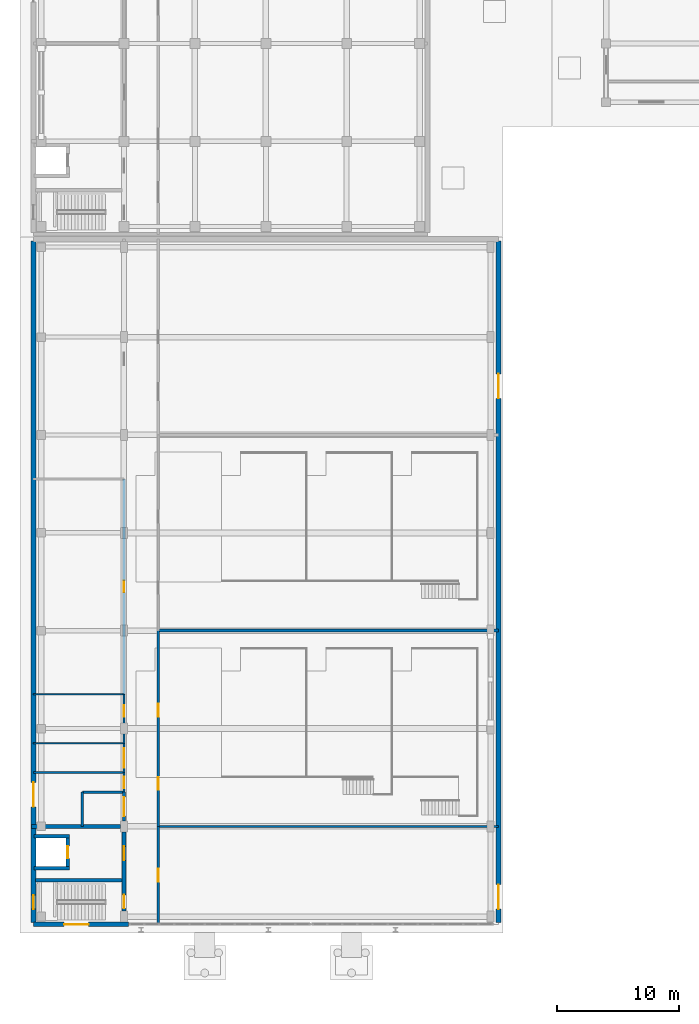
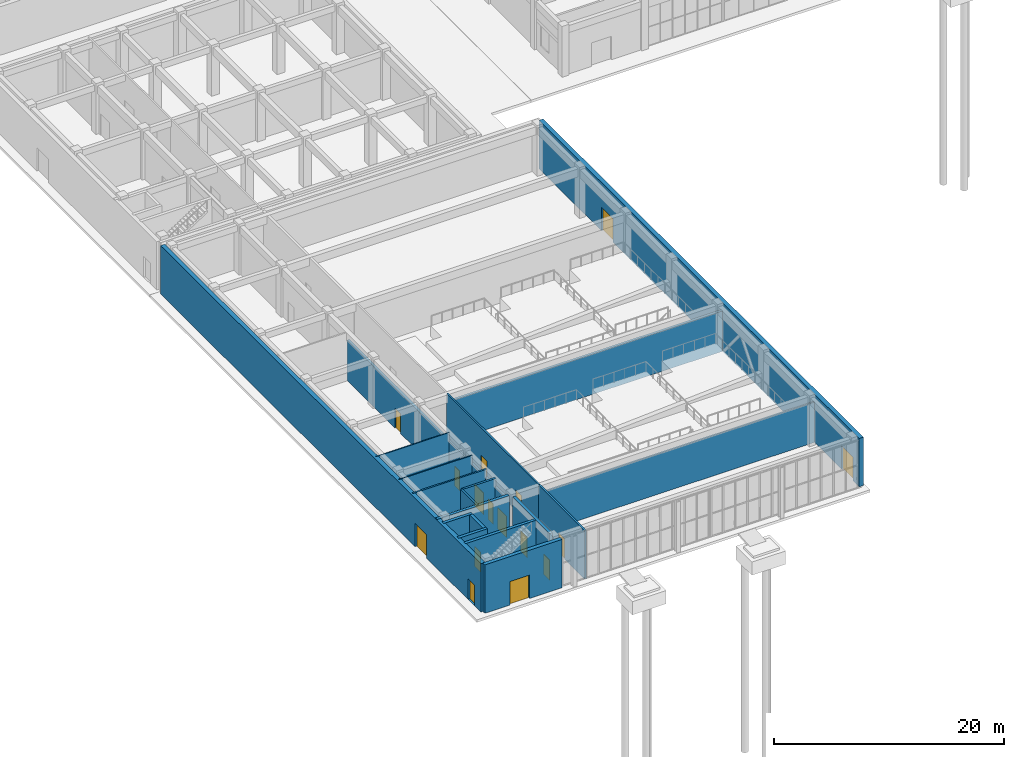
# One storey, part 28 of 46: 23 walls, 16 doors, 16 openings.
"""IFC4 building model written with IfcOpenShell, lengths in metres."""

from ifc_helpers import new_model, si_unit, direction, frame, frame_2d, origin, place, context, subcontext, project, spatial, rectangle, extrude, material, layer, layer_set, type_object, element, fill, save


model = new_model("IFC4")

# Units and contexts
model_context = context("Model", 3, precision=1e-05, world=origin(), true_north=direction((0.0, 1.0)))
body_context = subcontext(model_context, "Body", "Model", "MODEL_VIEW")
ifc_project = project(units=[si_unit("LENGTHUNIT", "METRE"), si_unit("AREAUNIT", "SQUARE_METRE"), si_unit("VOLUMEUNIT", "CUBIC_METRE"), si_unit("PLANEANGLEUNIT", "RADIAN"), si_unit("MASSUNIT", "GRAM", prefix="KILO")], contexts=[model_context])

# Site, building, storey
site_placement = place(None, origin())
site = spatial("IfcSite", under=ifc_project, at=site_placement, CompositionType="ELEMENT")
building_placement = place(site_placement, origin())
building = spatial("IfcBuilding", under=site, at=building_placement, Name="Cinchona Park Media Centre", CompositionType="ELEMENT")
storey_placement = place(building_placement, origin())
storey = spatial("IfcBuildingStorey", under=building, at=storey_placement, Name="L00", CompositionType="ELEMENT", Elevation=0.0)

# Wall, openings, doors
ifc_material_1 = material(Name="Precast concrete C40/50", Category="concrete")
ifc_layer_1 = layer(ifc_material_1, 0.425048828125)
ifc_layer_set_1 = layer_set([ifc_layer_1], Name="Precast concrete C40/50")
wall_type_1 = type_object("IfcWallType", Name="WALL-W-AC01", PredefinedType="SOLIDWALL", material=ifc_layer_set_1)
wall_1_placement = place(storey_placement, frame((46.0, 63.4599609375, 0.0), z_axis=(0.0, 0.0, 1.0), x_axis=(0.0, -1.0, 0.0)))
wall_1 = element("IfcWall", 1, at=wall_1_placement, inside=storey, type_object=wall_type_1, Name="Exterior Wall W-AC01 V1 L00", PredefinedType="SOLIDWALL", context=body_context, shape_type="SweptSolid", body=[
    extrude(rectangle(XDim=55.719970703125, YDim=0.425048828125, at=frame_2d((27.85986328125, 0.0))), origin(), (0.0, 0.0, 1.0), 5.139892578125),
])
opening_1_placement = place(wall_1_placement, frame((52.6201171875, 0.0, 0.0)))
opening_1 = element("IfcOpeningElement", 2, at=opening_1_placement, cuts=wall_1, Name="Opening D009", PredefinedType="OPENING", context=body_context, shape_type="SweptSolid", body=[
    extrude(rectangle(XDim=2.0, YDim=2.5, at=frame_2d((1.0, 1.25))), frame((0.0, 0.222412109375, 0.0), z_axis=(0.0, -1.0, 0.0), x_axis=(1.0, 0.0, 0.0)), (0.0, 0.0, 1.0), 0.445068359375),
])
opening_2_placement = place(wall_1_placement, frame((10.860107421875, 0.0, 0.0)))
opening_2 = element("IfcOpeningElement", 3, at=opening_2_placement, cuts=wall_1, Name="Opening D011", PredefinedType="OPENING", context=body_context, shape_type="SweptSolid", body=[
    extrude(rectangle(XDim=2.0, YDim=2.5, at=frame_2d((1.0, 1.25))), frame((0.0, 0.222412109375, 0.0), z_axis=(0.0, -1.0, 0.0), x_axis=(1.0, 0.0, 0.0)), (0.0, 0.0, 1.0), 0.445068359375),
])
ifc_material_2 = material(Name="Insulated Steel and Laminated Glass Door", Category="steel")
door_type_1 = type_object("IfcDoorType", Name="DOOR-DT-EX2", OperationType="NOTDEFINED", PredefinedType="DOOR", material=ifc_material_2)
door_1_placement = place(opening_1_placement, origin())
door_1 = element("IfcDoor", 4, at=door_1_placement, inside=storey, type_object=door_type_1, Name="Exterior Door D009", OperationType="DOUBLE_SWING_LEFT", OverallHeight=2.5, OverallWidth=2.0, PredefinedType="DOOR", context=body_context, shape_type="SweptSolid", body=[
    extrude(rectangle(XDim=2.0, YDim=2.5, at=frame_2d((1.0, 1.25))), frame((0.0, 0.02490234375, 0.0), z_axis=(0.0, -1.0, 0.0), x_axis=(1.0, 0.0, 0.0)), (0.0, 0.0, 1.0), 0.050048828125),
])
fill(opening_1, door_1)
door_2_placement = place(opening_2_placement, origin())
door_2 = element("IfcDoor", 5, at=door_2_placement, inside=storey, type_object=door_type_1, Name="Exterior Door D011", OperationType="DOUBLE_SWING_LEFT", OverallHeight=2.5, OverallWidth=2.0, PredefinedType="DOOR", context=body_context, shape_type="SweptSolid", body=[
    extrude(rectangle(XDim=2.0, YDim=2.5, at=frame_2d((1.0, 1.25))), frame((0.0, 0.02490234375, 0.0), z_axis=(0.0, -1.0, 0.0), x_axis=(1.0, 0.0, 0.0)), (0.0, 0.0, 1.0), 0.050048828125),
])
fill(opening_2, door_2)

wall_2_placement = place(storey_placement, frame((8.0, 7.739990234375, 0.0), z_axis=(0.0, 0.0, 1.0), x_axis=(0.0, 1.0, 0.0)))
wall_2 = element("IfcWall", 6, at=wall_2_placement, inside=storey, type_object=wall_type_1, Name="Exterior Wall W-AC01 V1 L00", PredefinedType="SOLIDWALL", context=body_context, shape_type="SweptSolid", body=[
    extrude(rectangle(XDim=55.719970703125, YDim=0.425048828125, at=frame_2d((27.85986328125, 0.0))), origin(), (0.0, 0.0, 1.0), 5.139892578125),
])
opening_3_placement = place(wall_2_placement, frame((1.10009765625, 0.0, 0.0)))
opening_3 = element("IfcOpeningElement", 7, at=opening_3_placement, cuts=wall_2, Name="Opening D006", PredefinedType="OPENING", context=body_context, shape_type="SweptSolid", body=[
    extrude(rectangle(XDim=1.14990234375, YDim=2.199951171875, at=frame_2d((0.574951171875, 1.10009765625))), frame((0.0, 0.222412109375, 0.0), z_axis=(0.0, -1.0, 0.0), x_axis=(1.0, 0.0, 0.0)), (0.0, 0.0, 1.0), 0.445068359375),
])
opening_4_placement = place(wall_2_placement, frame((9.4599609375, 0.0, 0.0)))
opening_4 = element("IfcOpeningElement", 8, at=opening_4_placement, cuts=wall_2, Name="Opening D010", PredefinedType="OPENING", context=body_context, shape_type="SweptSolid", body=[
    extrude(rectangle(XDim=2.0, YDim=2.5, at=frame_2d((1.0, 1.25))), frame((0.0, 0.222412109375, 0.0), z_axis=(0.0, -1.0, 0.0), x_axis=(1.0, 0.0, 0.0)), (0.0, 0.0, 1.0), 0.445068359375),
])
door_3_placement = place(opening_4_placement, origin())
door_3 = element("IfcDoor", 9, at=door_3_placement, inside=storey, type_object=door_type_1, Name="Exterior Door D010", OperationType="DOUBLE_SWING_LEFT", OverallHeight=2.5, OverallWidth=2.0, PredefinedType="DOOR", context=body_context, shape_type="SweptSolid", body=[
    extrude(rectangle(XDim=2.0, YDim=2.5, at=frame_2d((1.0, 1.25))), frame((0.0, 0.02490234375, 0.0), z_axis=(0.0, -1.0, 0.0), x_axis=(1.0, 0.0, 0.0)), (0.0, 0.0, 1.0), 0.050048828125),
])
fill(opening_4, door_3)
ifc_material_3 = material(Name="Insulated Steel and Laminated Glass Door", Category="steel")
door_type_2 = type_object("IfcDoorType", Name="DOOR-DT-EX3", OperationType="NOTDEFINED", PredefinedType="DOOR", material=ifc_material_3)
door_4_placement = place(opening_3_placement, origin())
door_4 = element("IfcDoor", 10, at=door_4_placement, inside=storey, type_object=door_type_2, Name="Exterior Door D006", OperationType="SINGLE_SWING_RIGHT", OverallHeight=2.199951171875, OverallWidth=1.14990234375, PredefinedType="DOOR", context=body_context, shape_type="SweptSolid", body=[
    extrude(rectangle(XDim=1.14990234375, YDim=2.199951171875, at=frame_2d((0.574951171875, 1.10009765625))), frame((0.0, 0.02490234375, 0.0), z_axis=(0.0, -1.0, 0.0), x_axis=(1.0, 0.0, 0.0)), (0.0, 0.0, 1.0), 0.050048828125),
])
fill(opening_3, door_4)

# Wall, opening, door
ifc_material_4 = material(Name="Acoustic Double-Stud Gypsum Partition", Category="gypsum")
ifc_layer_2 = layer(ifc_material_4, 0.2099609375)
ifc_layer_set_2 = layer_set([ifc_layer_2], Name="Acoustic Double-Stud Gypsum Partition")
wall_type_2 = type_object("IfcWallType", Name="WALL-W-AC210", PredefinedType="PARTITIONING", material=ifc_layer_set_2)
wall_3_placement = place(storey_placement, frame((15.39990234375, 16.052001953125, 0.0), z_axis=(0.0, 0.0, 1.0), x_axis=(0.0, 1.0, 0.0)))
wall_3 = element("IfcWall", 11, at=wall_3_placement, inside=storey, type_object=wall_type_2, Name="Interior Wall W-AC210 L00", PredefinedType="PARTITIONING", context=body_context, shape_type="SweptSolid", body=[
    extrude(rectangle(XDim=2.347900390625, YDim=0.2099609375, at=frame_2d((1.173828125, 0.0))), origin(), (0.0, 0.0, 1.0), 4.2900390625),
])
opening_5_placement = place(wall_3_placement, frame((0.39892578125, 0.0, 0.0)))
opening_5 = element("IfcOpeningElement", 12, at=opening_5_placement, cuts=wall_3, Name="Opening D181", PredefinedType="OPENING", context=body_context, shape_type="SweptSolid", body=[
    extrude(rectangle(XDim=1.550048828125, YDim=2.25, at=frame_2d((0.77490234375, 1.125))), frame((0.0, 0.114990234375, 0.0), z_axis=(0.0, -1.0, 0.0), x_axis=(1.0, 0.0, 0.0)), (0.0, 0.0, 1.0), 0.22998046875),
])
ifc_material_5 = material(Name="Solid-Core Timber Acoustic Door", Category="wood")
door_type_3 = type_object("IfcDoorType", Name="DOOR-DT16", OperationType="NOTDEFINED", PredefinedType="DOOR", material=ifc_material_5)
door_5_placement = place(opening_5_placement, origin())
door_5 = element("IfcDoor", 13, at=door_5_placement, inside=storey, type_object=door_type_3, Name="Interior Door D181", OperationType="SINGLE_SWING_LEFT", OverallHeight=2.25, OverallWidth=1.550048828125, PredefinedType="DOOR", context=body_context, shape_type="SweptSolid", body=[
    extrude(rectangle(XDim=1.550048828125, YDim=2.25, at=frame_2d((0.77490234375, 1.125))), frame((0.0, 0.02490234375, 0.0), z_axis=(0.0, -1.0, 0.0), x_axis=(1.0, 0.0, 0.0)), (0.0, 0.0, 1.0), 0.050048828125),
])
fill(opening_5, door_5)

# Wall
wall_4_placement = place(storey_placement, frame((12.0, 18.39990234375, 0.0), z_axis=(0.0, 0.0, 1.0), x_axis=(1.0, 0.0, 0.0)))
element("IfcWall", 14, at=wall_4_placement, inside=storey, type_object=wall_type_2, Name="Interior Wall W-AC210 L00", PredefinedType="PARTITIONING", context=body_context, shape_type="SweptSolid", body=[
    extrude(rectangle(XDim=3.39990234375, YDim=0.2099609375, at=frame_2d((1.699951171875, 0.0))), origin(), (0.0, 0.0, 1.0), 5.139892578125),
])

# Wall, opening, door
ifc_material_6 = material(Name="Acoustic Double-Stud Gypsum Partition", Category="gypsum")
ifc_layer_3 = layer(ifc_material_6, 0.239990234375)
ifc_layer_set_3 = layer_set([ifc_layer_3], Name="Acoustic Double-Stud Gypsum Partition")
wall_type_3 = type_object("IfcWallType", Name="WALL-W-AC240", PredefinedType="PARTITIONING", material=ifc_layer_set_3)
wall_5_placement = place(storey_placement, frame((15.39990234375, 26.39990234375, 0.0), z_axis=(0.0, 0.0, 1.0), x_axis=(0.0, 1.0, 0.0)))
wall_5 = element("IfcWall", 15, at=wall_5_placement, inside=storey, type_object=wall_type_3, Name="Interior Wall W-AC240 L00", PredefinedType="PARTITIONING", context=body_context, shape_type="SweptSolid", body=[
    extrude(rectangle(XDim=17.60009765625, YDim=0.239990234375, at=frame_2d((8.800048828125, 0.0))), origin(), (0.0, 0.0, 1.0), 4.2900390625),
])
opening_6_placement = place(wall_5_placement, frame((8.324951171875, 0.0, 0.0)))
opening_6 = element("IfcOpeningElement", 16, at=opening_6_placement, cuts=wall_5, Name="Opening D185", PredefinedType="OPENING", context=body_context, shape_type="SweptSolid", body=[
    extrude(rectangle(XDim=0.949951171875, YDim=2.10009765625, at=frame_2d((0.47509765625, 1.050048828125))), frame((0.0, 0.1298828125, 0.0), z_axis=(0.0, -1.0, 0.0), x_axis=(1.0, 0.0, 0.0)), (0.0, 0.0, 1.0), 0.260009765625),
])
ifc_material_7 = material(Name="Solid-Core Timber Acoustic Door", Category="wood")
door_type_4 = type_object("IfcDoorType", Name="DOOR-DT02", OperationType="NOTDEFINED", PredefinedType="DOOR", material=ifc_material_7)
door_6_placement = place(opening_6_placement, origin())
door_6 = element("IfcDoor", 17, at=door_6_placement, inside=storey, type_object=door_type_4, Name="Interior Door D185", OperationType="SINGLE_SWING_LEFT", OverallHeight=2.10009765625, OverallWidth=0.949951171875, PredefinedType="DOOR", context=body_context, shape_type="SweptSolid", body=[
    extrude(rectangle(XDim=0.949951171875, YDim=2.10009765625, at=frame_2d((0.47509765625, 1.050048828125))), frame((0.0, 0.02490234375, 0.0), z_axis=(0.0, -1.0, 0.0), x_axis=(1.0, 0.0, 0.0)), (0.0, 0.0, 1.0), 0.050048828125),
])
fill(opening_6, door_6)

# Walls
wall_6_placement = place(storey_placement, frame((18.199951171875, 31.60009765625, 0.0), z_axis=(0.0, 0.0, 1.0), x_axis=(1.0, 0.0, 0.0)))
element("IfcWall", 18, at=wall_6_placement, inside=storey, type_object=wall_type_3, Name="Interior Wall W-AC240 L00", PredefinedType="PARTITIONING", context=body_context, shape_type="SweptSolid", body=[
    extrude(rectangle(XDim=27.800048828125, YDim=0.239990234375, at=frame_2d((13.89990234375, 0.0))), origin(), (0.0, 0.0, 1.0), 4.2900390625),
])
ifc_material_8 = material(Name="Concrete C40/50", Category="concrete")
ifc_layer_4 = layer(ifc_material_8, 0.300048828125)
ifc_layer_set_4 = layer_set([ifc_layer_4], Name="Concrete C40/50")
wall_type_4 = type_object("IfcWallType", Name="WALL-W-CR300", PredefinedType="SHEAR", material=ifc_layer_set_4)
wall_7_placement = place(storey_placement, frame((7.85009765625, 15.60009765625, 0.0), z_axis=(0.0, 0.0, 1.0), x_axis=(1.0, 0.0, 0.0)))
element("IfcWall", 19, at=wall_7_placement, inside=storey, type_object=wall_type_4, Name="Core Shear Wall W-CR300 L00", PredefinedType="SHEAR", context=body_context, shape_type="SweptSolid", body=[
    extrude(rectangle(XDim=7.247802734375, YDim=0.300048828125, at=frame_2d((3.6240234375, 0.0))), origin(), (0.0, 0.0, 1.0), 5.139892578125),
])

# Wall, openings, doors
wall_8_placement = place(storey_placement, frame((15.39990234375, 8.69189453125, 0.0), z_axis=(0.0, 0.0, 1.0), x_axis=(0.0, 1.0, 0.0)))
wall_8 = element("IfcWall", 20, at=wall_8_placement, inside=storey, type_object=wall_type_4, Name="Core Shear Wall W-CR300 L00", PredefinedType="SHEAR", context=body_context, shape_type="SweptSolid", body=[
    extrude(rectangle(XDim=6.4560546875, YDim=0.300048828125, at=frame_2d((3.22802734375, 0.0))), origin(), (0.0, 0.0, 1.0), 5.139892578125),
])
opening_7_placement = place(wall_8_placement, frame((0.219970703125, 0.0, 0.0)))
opening_7 = element("IfcOpeningElement", 21, at=opening_7_placement, cuts=wall_8, Name="Opening D054", PredefinedType="OPENING", context=body_context, shape_type="SweptSolid", body=[
    extrude(rectangle(XDim=1.10009765625, YDim=2.14990234375, at=frame_2d((0.550048828125, 1.074951171875))), frame((0.0, 0.159912109375, 0.0), z_axis=(0.0, -1.0, 0.0), x_axis=(1.0, 0.0, 0.0)), (0.0, 0.0, 1.0), 0.320068359375),
])
opening_8_placement = place(wall_8_placement, frame((4.133056640625, 0.0, 0.0)))
opening_8 = element("IfcOpeningElement", 22, at=opening_8_placement, cuts=wall_8, Name="Opening D055", PredefinedType="OPENING", context=body_context, shape_type="SweptSolid", body=[
    extrude(rectangle(XDim=1.14990234375, YDim=2.199951171875, at=frame_2d((0.574951171875, 1.10009765625))), frame((0.0, 0.159912109375, 0.0), z_axis=(0.0, -1.0, 0.0), x_axis=(1.0, 0.0, 0.0)), (0.0, 0.0, 1.0), 0.320068359375),
])
ifc_material_9 = material(Name="Insulated Fire-Rated Steel Door", Category="steel")
door_type_5 = type_object("IfcDoorType", Name="DOOR-DT-FF", OperationType="NOTDEFINED", PredefinedType="DOOR", material=ifc_material_9)
door_7_placement = place(opening_8_placement, origin())
door_7 = element("IfcDoor", 23, at=door_7_placement, inside=storey, type_object=door_type_5, Name="Interior Door D055", OperationType="SINGLE_SWING_LEFT", OverallHeight=2.199951171875, OverallWidth=1.14990234375, PredefinedType="DOOR", context=body_context, shape_type="SweptSolid", body=[
    extrude(rectangle(XDim=1.14990234375, YDim=2.199951171875, at=frame_2d((0.574951171875, 1.10009765625))), frame((0.0, 0.02490234375, 0.0), z_axis=(0.0, -1.0, 0.0), x_axis=(1.0, 0.0, 0.0)), (0.0, 0.0, 1.0), 0.050048828125),
])
fill(opening_8, door_7)
ifc_material_10 = material(Name="Insulated Fire-Rated Steel Door", Category="steel")
door_type_6 = type_object("IfcDoorType", Name="DOOR-DT-ST", OperationType="NOTDEFINED", PredefinedType="DOOR", material=ifc_material_10)
door_8_placement = place(opening_7_placement, origin())
door_8 = element("IfcDoor", 24, at=door_8_placement, inside=storey, type_object=door_type_6, Name="Interior Door D054", OperationType="SINGLE_SWING_RIGHT", OverallHeight=2.14990234375, OverallWidth=1.10009765625, PredefinedType="DOOR", context=body_context, shape_type="SweptSolid", body=[
    extrude(rectangle(XDim=1.10009765625, YDim=2.14990234375, at=frame_2d((0.550048828125, 1.074951171875))), frame((0.0, 0.02490234375, 0.0), z_axis=(0.0, -1.0, 0.0), x_axis=(1.0, 0.0, 0.0)), (0.0, 0.0, 1.0), 0.050048828125),
])
fill(opening_7, door_8)

# Wall
wall_9_placement = place(storey_placement, frame((8.14990234375, 11.199951171875, 0.0), z_axis=(0.0, 0.0, 1.0), x_axis=(1.0, 0.0, 0.0)))
element("IfcWall", 25, at=wall_9_placement, inside=storey, type_object=wall_type_4, Name="Core Shear Wall W-CR300 L00", PredefinedType="SHEAR", context=body_context, shape_type="SweptSolid", body=[
    extrude(rectangle(XDim=7.10009765625, YDim=0.300048828125, at=frame_2d((3.550048828125, 0.0))), origin(), (0.0, 0.0, 1.0), 5.139892578125),
])

# Wall, opening, door
ifc_material_11 = material(Name="Precast concrete C40/50", Category="concrete")
ifc_layer_5 = layer(ifc_material_11, 0.3798828125)
ifc_layer_set_5 = layer_set([ifc_layer_5], Name="Precast concrete C40/50")
wall_type_5 = type_object("IfcWallType", Name="WALL-W-EX01", PredefinedType="SOLIDWALL", material=ifc_layer_set_5)
wall_10_placement = place(storey_placement, frame((15.77001953125, 7.60009765625, 0.0), z_axis=(0.0, 0.0, 1.0), x_axis=(-1.0, 0.0, 0.0)))
wall_10 = element("IfcWall", 26, at=wall_10_placement, inside=storey, type_object=wall_type_5, Name="Entrance Frame Wall W-EX01 V1 L00", PredefinedType="SOLIDWALL", context=body_context, shape_type="SweptSolid", body=[
    extrude(rectangle(XDim=7.77001953125, YDim=0.3798828125, at=frame_2d((3.885009765625, 0.0))), origin(), (0.0, 0.0, 1.0), 5.139892578125),
])
opening_9_placement = place(wall_10_placement, frame((3.27001953125, 0.0, 0.0)))
opening_9 = element("IfcOpeningElement", 27, at=opening_9_placement, cuts=wall_10, Name="Opening D008", PredefinedType="OPENING", context=body_context, shape_type="SweptSolid", body=[
    extrude(rectangle(XDim=2.0, YDim=2.5, at=frame_2d((1.0, 1.25))), frame((0.0, 0.199951171875, 0.0), z_axis=(0.0, -1.0, 0.0), x_axis=(1.0, 0.0, 0.0)), (0.0, 0.0, 1.0), 0.39990234375),
])
door_9_placement = place(opening_9_placement, origin())
door_9 = element("IfcDoor", 28, at=door_9_placement, inside=storey, type_object=door_type_1, Name="Exterior Door D008", OperationType="DOUBLE_SWING_LEFT", OverallHeight=2.5, OverallWidth=2.0, PredefinedType="DOOR", context=body_context, shape_type="SweptSolid", body=[
    extrude(rectangle(XDim=2.0, YDim=2.5, at=frame_2d((1.0, 1.25))), frame((0.0, 0.02490234375, 0.0), z_axis=(0.0, -1.0, 0.0), x_axis=(1.0, 0.0, 0.0)), (0.0, 0.0, 1.0), 0.050048828125),
])
fill(opening_9, door_9)

# Walls
ifc_material_12 = material(Name="Gypsum Metal-Stud Partition", Category="gypsum")
ifc_layer_6 = layer(ifc_material_12, 0.10009765625)
ifc_layer_set_6 = layer_set([ifc_layer_6], Name="Gypsum Metal-Stud Partition")
wall_type_6 = type_object("IfcWallType", Name="WALL-W-PT100", PredefinedType="PARTITIONING", material=ifc_layer_set_6)
wall_11_placement = place(storey_placement, frame((8.0, 26.39990234375, 0.0), z_axis=(0.0, 0.0, 1.0), x_axis=(1.0, 0.0, 0.0)))
element("IfcWall", 29, at=wall_11_placement, inside=storey, type_object=wall_type_6, Name="Interior Wall W-PT100 L00", PredefinedType="PARTITIONING", context=body_context, shape_type="SweptSolid", body=[
    extrude(rectangle(XDim=7.39990234375, YDim=0.10009765625, at=frame_2d((3.699951171875, 0.0))), origin(), (0.0, 0.0, 1.0), 5.139892578125),
])
ifc_material_13 = material(Name="Gypsum Metal-Stud Partition", Category="gypsum")
ifc_layer_7 = layer(ifc_material_13, 0.114990234375)
ifc_layer_set_7 = layer_set([ifc_layer_7], Name="Gypsum Metal-Stud Partition")
wall_type_7 = type_object("IfcWallType", Name="WALL-W-PT115", PredefinedType="PARTITIONING", material=ifc_layer_set_7)
wall_12_placement = place(storey_placement, frame((8.0, 22.39990234375, 0.0), z_axis=(0.0, 0.0, 1.0), x_axis=(1.0, 0.0, 0.0)))
element("IfcWall", 30, at=wall_12_placement, inside=storey, type_object=wall_type_7, Name="Interior Wall W-PT115 L00", PredefinedType="PARTITIONING", context=body_context, shape_type="SweptSolid", body=[
    extrude(rectangle(XDim=7.39990234375, YDim=0.114990234375, at=frame_2d((3.699951171875, 0.0))), origin(), (0.0, 0.0, 1.0), 5.139892578125),
])

# Wall, opening, door
ifc_material_14 = material(Name="Fire-Rated Gypsum Stud Partition", Category="gypsum")
ifc_layer_8 = layer(ifc_material_14, 0.14990234375)
ifc_layer_set_8 = layer_set([ifc_layer_8], Name="Fire-Rated Gypsum Stud Partition")
wall_type_8 = type_object("IfcWallType", Name="WALL-W-PT150", PredefinedType="PARTITIONING", material=ifc_layer_set_8)
wall_13_placement = place(storey_placement, frame((15.39990234375, 22.39990234375, 0.0), z_axis=(0.0, 0.0, 1.0), x_axis=(0.0, 1.0, 0.0)))
wall_13 = element("IfcWall", 31, at=wall_13_placement, inside=storey, type_object=wall_type_8, Name="Interior Wall W-PT150 L00", PredefinedType="PARTITIONING", context=body_context, shape_type="SweptSolid", body=[
    extrude(rectangle(XDim=4.0, YDim=0.14990234375, at=frame_2d((2.0, 0.0))), origin(), (0.0, 0.0, 1.0), 4.2900390625),
])
opening_10_placement = place(wall_13_placement, frame((2.179931640625, 0.0, 0.0)))
opening_10 = element("IfcOpeningElement", 32, at=opening_10_placement, cuts=wall_13, Name="Opening D184", PredefinedType="OPENING", context=body_context, shape_type="SweptSolid", body=[
    extrude(rectangle(XDim=0.919921875, YDim=2.10009765625, at=frame_2d((0.4599609375, 1.050048828125))), frame((0.0, 0.0849609375, 0.0), z_axis=(0.0, -1.0, 0.0), x_axis=(1.0, 0.0, 0.0)), (0.0, 0.0, 1.0), 0.169921875),
])
ifc_material_15 = material(Name="Solid-Core Timber Acoustic Door", Category="wood")
door_type_7 = type_object("IfcDoorType", Name="DOOR-DT01", OperationType="NOTDEFINED", PredefinedType="DOOR", material=ifc_material_15)
door_10_placement = place(opening_10_placement, origin())
door_10 = element("IfcDoor", 33, at=door_10_placement, inside=storey, type_object=door_type_7, Name="Interior Door D184", OperationType="SINGLE_SWING_RIGHT", OverallHeight=2.10009765625, OverallWidth=0.919921875, PredefinedType="DOOR", context=body_context, shape_type="SweptSolid", body=[
    extrude(rectangle(XDim=0.919921875, YDim=2.10009765625, at=frame_2d((0.4599609375, 1.050048828125))), frame((0.0, 0.02490234375, 0.0), z_axis=(0.0, -1.0, 0.0), x_axis=(1.0, 0.0, 0.0)), (0.0, 0.0, 1.0), 0.050048828125),
])
fill(opening_10, door_10)

# Wall
wall_14_placement = place(storey_placement, frame((18.199951171875, 15.60009765625, 0.0), z_axis=(0.0, 0.0, 1.0), x_axis=(1.0, 0.0, 0.0)))
element("IfcWall", 34, at=wall_14_placement, inside=storey, type_object=wall_type_8, Name="Interior Wall W-PT150 L00", PredefinedType="PARTITIONING", context=body_context, shape_type="SweptSolid", body=[
    extrude(rectangle(XDim=27.800048828125, YDim=0.14990234375, at=frame_2d((13.89990234375, 0.0))), origin(), (0.0, 0.0, 1.0), 4.2900390625),
])

# Wall, opening, door
ifc_material_16 = material(Name="Fire-Rated Gypsum Stud Partition", Category="gypsum")
ifc_layer_9 = layer(ifc_material_16, 0.1650390625)
ifc_layer_set_9 = layer_set([ifc_layer_9], Name="Fire-Rated Gypsum Stud Partition")
wall_type_9 = type_object("IfcWallType", Name="WALL-W-PT165", PredefinedType="PARTITIONING", material=ifc_layer_set_9)
wall_15_placement = place(storey_placement, frame((15.39990234375, 20.0, 0.0), z_axis=(0.0, 0.0, 1.0), x_axis=(0.0, 1.0, 0.0)))
wall_15 = element("IfcWall", 35, at=wall_15_placement, inside=storey, type_object=wall_type_9, Name="Interior Wall W-PT165 L00", PredefinedType="PARTITIONING", context=body_context, shape_type="SweptSolid", body=[
    extrude(rectangle(XDim=2.39990234375, YDim=0.1650390625, at=frame_2d((1.199951171875, 0.0))), origin(), (0.0, 0.0, 1.0), 4.2900390625),
])
opening_11_placement = place(wall_15_placement, frame((0.39990234375, 0.0, 0.0)))
opening_11 = element("IfcOpeningElement", 36, at=opening_11_placement, cuts=wall_15, Name="Opening D183", PredefinedType="OPENING", context=body_context, shape_type="SweptSolid", body=[
    extrude(rectangle(XDim=1.60009765625, YDim=2.300048828125, at=frame_2d((0.800048828125, 1.14990234375))), frame((0.0, 0.092529296875, 0.0), z_axis=(0.0, -1.0, 0.0), x_axis=(1.0, 0.0, 0.0)), (0.0, 0.0, 1.0), 0.18505859375),
])
ifc_material_17 = material(Name="Solid-Core Timber Acoustic Door", Category="wood")
door_type_8 = type_object("IfcDoorType", Name="DOOR-DT17", OperationType="NOTDEFINED", PredefinedType="DOOR", material=ifc_material_17)
door_11_placement = place(opening_11_placement, origin())
door_11 = element("IfcDoor", 37, at=door_11_placement, inside=storey, type_object=door_type_8, Name="Interior Door D183", OperationType="SINGLE_SWING_LEFT", OverallHeight=2.300048828125, OverallWidth=1.60009765625, PredefinedType="DOOR", context=body_context, shape_type="SweptSolid", body=[
    extrude(rectangle(XDim=1.60009765625, YDim=2.300048828125, at=frame_2d((0.800048828125, 1.14990234375))), frame((0.0, 0.02490234375, 0.0), z_axis=(0.0, -1.0, 0.0), x_axis=(1.0, 0.0, 0.0)), (0.0, 0.0, 1.0), 0.050048828125),
])
fill(opening_11, door_11)

# Wall, openings, doors
wall_16_placement = place(storey_placement, frame((18.199951171875, 31.60009765625, 0.0), z_axis=(0.0, 0.0, 1.0), x_axis=(0.0, -1.0, 0.0)))
wall_16 = element("IfcWall", 38, at=wall_16_placement, inside=storey, type_object=wall_type_9, Name="Interior Wall W-PT165 L00", PredefinedType="PARTITIONING", context=body_context, shape_type="SweptSolid", body=[
    extrude(rectangle(XDim=16.0, YDim=0.1650390625, at=frame_2d((8.0, 0.0))), origin(), (0.0, 0.0, 1.0), 5.139892578125),
])
opening_12_placement = place(wall_16_placement, frame((5.97998046875, 0.0, 0.0)))
opening_12 = element("IfcOpeningElement", 39, at=opening_12_placement, cuts=wall_16, Name="Opening D188", PredefinedType="OPENING", context=body_context, shape_type="SweptSolid", body=[
    extrude(rectangle(XDim=1.0400390625, YDim=2.199951171875, at=frame_2d((0.52001953125, 1.10009765625))), frame((0.0, 0.092529296875, 0.0), z_axis=(0.0, -1.0, 0.0), x_axis=(1.0, 0.0, 0.0)), (0.0, 0.0, 1.0), 0.18505859375),
])
opening_13_placement = place(wall_16_placement, frame((11.9599609375, 0.0, 0.0)))
opening_13 = element("IfcOpeningElement", 40, at=opening_13_placement, cuts=wall_16, Name="Opening D189", PredefinedType="OPENING", context=body_context, shape_type="SweptSolid", body=[
    extrude(rectangle(XDim=1.0400390625, YDim=2.199951171875, at=frame_2d((0.52001953125, 1.10009765625))), frame((0.0, 0.092529296875, 0.0), z_axis=(0.0, -1.0, 0.0), x_axis=(1.0, 0.0, 0.0)), (0.0, 0.0, 1.0), 0.18505859375),
])
ifc_material_18 = material(Name="Fire-Rated Acoustic Timber-Steel Door", Category="steel")
door_type_9 = type_object("IfcDoorType", Name="DOOR-DT25", OperationType="NOTDEFINED", PredefinedType="DOOR", material=ifc_material_18)
door_12_placement = place(opening_12_placement, origin())
door_12 = element("IfcDoor", 41, at=door_12_placement, inside=storey, type_object=door_type_9, Name="Interior Door D188", OperationType="SINGLE_SWING_RIGHT", OverallHeight=2.199951171875, OverallWidth=1.0400390625, PredefinedType="DOOR", context=body_context, shape_type="SweptSolid", body=[
    extrude(rectangle(XDim=1.0400390625, YDim=2.199951171875, at=frame_2d((0.52001953125, 1.10009765625))), frame((0.0, 0.02490234375, 0.0), z_axis=(0.0, -1.0, 0.0), x_axis=(1.0, 0.0, 0.0)), (0.0, 0.0, 1.0), 0.050048828125),
])
fill(opening_12, door_12)
door_13_placement = place(opening_13_placement, origin())
door_13 = element("IfcDoor", 42, at=door_13_placement, inside=storey, type_object=door_type_9, Name="Interior Door D189", OperationType="SINGLE_SWING_LEFT", OverallHeight=2.199951171875, OverallWidth=1.0400390625, PredefinedType="DOOR", context=body_context, shape_type="SweptSolid", body=[
    extrude(rectangle(XDim=1.0400390625, YDim=2.199951171875, at=frame_2d((0.52001953125, 1.10009765625))), frame((0.0, 0.02490234375, 0.0), z_axis=(0.0, -1.0, 0.0), x_axis=(1.0, 0.0, 0.0)), (0.0, 0.0, 1.0), 0.050048828125),
])
fill(opening_13, door_13)

# Wall
wall_17_placement = place(storey_placement, frame((8.0, 20.0, 0.0), z_axis=(0.0, 0.0, 1.0), x_axis=(1.0, 0.0, 0.0)))
element("IfcWall", 43, at=wall_17_placement, inside=storey, type_object=wall_type_9, Name="Interior Wall W-PT165 L00", PredefinedType="PARTITIONING", context=body_context, shape_type="SweptSolid", body=[
    extrude(rectangle(XDim=7.39990234375, YDim=0.1650390625, at=frame_2d((3.699951171875, 0.0))), origin(), (0.0, 0.0, 1.0), 5.139892578125),
])

# Wall, opening, door
ifc_material_19 = material(Name="Fire-Rated Gypsum Stud Partition", Category="gypsum")
ifc_layer_10 = layer(ifc_material_19, 0.18994140625)
ifc_layer_set_10 = layer_set([ifc_layer_10], Name="Fire-Rated Gypsum Stud Partition")
wall_type_10 = type_object("IfcWallType", Name="WALL-W-PT190", PredefinedType="PARTITIONING", material=ifc_layer_set_10)
wall_18_placement = place(storey_placement, frame((15.39990234375, 18.39990234375, 0.0), z_axis=(0.0, 0.0, 1.0), x_axis=(0.0, 1.0, 0.0)))
wall_18 = element("IfcWall", 44, at=wall_18_placement, inside=storey, type_object=wall_type_10, Name="Interior Wall W-PT190 L00", PredefinedType="PARTITIONING", context=body_context, shape_type="SweptSolid", body=[
    extrude(rectangle(XDim=1.60009765625, YDim=0.18994140625, at=frame_2d((0.800048828125, 0.0))), origin(), (0.0, 0.0, 1.0), 4.2900390625),
])
opening_14_placement = place(wall_18_placement, frame((0.330078125, 0.0, 0.0)))
opening_14 = element("IfcOpeningElement", 45, at=opening_14_placement, cuts=wall_18, Name="Opening D182", PredefinedType="OPENING", context=body_context, shape_type="SweptSolid", body=[
    extrude(rectangle(XDim=0.93994140625, YDim=2.14990234375, at=frame_2d((0.469970703125, 1.074951171875))), frame((0.0, 0.10498046875, 0.0), z_axis=(0.0, -1.0, 0.0), x_axis=(1.0, 0.0, 0.0)), (0.0, 0.0, 1.0), 0.2099609375),
])
ifc_material_20 = material(Name="Fire-Rated Acoustic Timber-Steel Door", Category="steel")
door_type_10 = type_object("IfcDoorType", Name="DOOR-DT24", OperationType="NOTDEFINED", PredefinedType="DOOR", material=ifc_material_20)
door_14_placement = place(opening_14_placement, origin())
door_14 = element("IfcDoor", 46, at=door_14_placement, inside=storey, type_object=door_type_10, Name="Interior Door D182", OperationType="SINGLE_SWING_RIGHT", OverallHeight=2.14990234375, OverallWidth=0.93994140625, PredefinedType="DOOR", context=body_context, shape_type="SweptSolid", body=[
    extrude(rectangle(XDim=0.93994140625, YDim=2.14990234375, at=frame_2d((0.469970703125, 1.074951171875))), frame((0.0, 0.02490234375, 0.0), z_axis=(0.0, -1.0, 0.0), x_axis=(1.0, 0.0, 0.0)), (0.0, 0.0, 1.0), 0.050048828125),
])
fill(opening_14, door_14)

wall_19_placement = place(storey_placement, frame((18.199951171875, 15.60009765625, 0.0), z_axis=(0.0, 0.0, 1.0), x_axis=(0.0, -1.0, 0.0)))
wall_19 = element("IfcWall", 47, at=wall_19_placement, inside=storey, type_object=wall_type_10, Name="Interior Wall W-PT190 L00", PredefinedType="PARTITIONING", context=body_context, shape_type="SweptSolid", body=[
    extrude(rectangle(XDim=8.0, YDim=0.18994140625, at=frame_2d((4.0, 0.0))), origin(), (0.0, 0.0, 1.0), 5.139892578125),
])
opening_15_placement = place(wall_19_placement, frame((3.47509765625, 0.0, 0.0)))
opening_15 = element("IfcOpeningElement", 48, at=opening_15_placement, cuts=wall_19, Name="Opening D187", PredefinedType="OPENING", context=body_context, shape_type="SweptSolid", body=[
    extrude(rectangle(XDim=1.050048828125, YDim=2.14990234375, at=frame_2d((0.52490234375, 1.074951171875))), frame((0.0, 0.10498046875, 0.0), z_axis=(0.0, -1.0, 0.0), x_axis=(1.0, 0.0, 0.0)), (0.0, 0.0, 1.0), 0.2099609375),
])
ifc_material_21 = material(Name="Solid-Core Timber Acoustic Door", Category="wood")
door_type_11 = type_object("IfcDoorType", Name="DOOR-DT06", OperationType="NOTDEFINED", PredefinedType="DOOR", material=ifc_material_21)
door_15_placement = place(opening_15_placement, origin())
door_15 = element("IfcDoor", 49, at=door_15_placement, inside=storey, type_object=door_type_11, Name="Interior Door D187", OperationType="SINGLE_SWING_LEFT", OverallHeight=2.14990234375, OverallWidth=1.050048828125, PredefinedType="DOOR", context=body_context, shape_type="SweptSolid", body=[
    extrude(rectangle(XDim=1.050048828125, YDim=2.14990234375, at=frame_2d((0.52490234375, 1.074951171875))), frame((0.0, 0.02490234375, 0.0), z_axis=(0.0, -1.0, 0.0), x_axis=(1.0, 0.0, 0.0)), (0.0, 0.0, 1.0), 0.050048828125),
])
fill(opening_15, door_15)

# Walls
wall_20_placement = place(storey_placement, frame((12.0, 15.60009765625, 0.0), z_axis=(0.0, 0.0, 1.0), x_axis=(0.0, 1.0, 0.0)))
element("IfcWall", 50, at=wall_20_placement, inside=storey, type_object=wall_type_10, Name="Interior Wall W-PT190 L00", PredefinedType="PARTITIONING", context=body_context, shape_type="SweptSolid", body=[
    extrude(rectangle(XDim=2.7998046875, YDim=0.18994140625, at=frame_2d((1.39990234375, 0.0))), origin(), (0.0, 0.0, 1.0), 5.139892578125),
])
ifc_material_22 = material(Name="Concrete C40/50", Category="concrete")
ifc_layer_11 = layer(ifc_material_22, 0.2900390625)
ifc_layer_set_11 = layer_set([ifc_layer_11], Name="Concrete C40/50")
wall_type_11 = type_object("IfcWallType", Name="WALL-W-SH290", PredefinedType="SHEAR", material=ifc_layer_set_11)
for number, where, z_axis, x_axis, name in (
    (51, (8.054931640625, 12.199951171875, 0.0), (0.0, 0.0, 1.0), (1.0, 0.0, 0.0), "Core Shear Wall W-SH290 L00"),
    (52, (8.054931640625, 14.800048828125, 0.0), (0.0, 0.0, 1.0), (1.0, 0.0, 0.0), "Core Shear Wall W-SH290 L00"),
):
    element("IfcWall", number, at=place(storey_placement, frame(where, z_axis=z_axis, x_axis=x_axis)), inside=storey, type_object=wall_type_11, Name=name, PredefinedType="SHEAR", context=body_context, shape_type="SweptSolid", body=[
        extrude(rectangle(XDim=2.89013671875, YDim=0.2900390625, at=frame_2d((1.445068359375, 0.0))), origin(), (0.0, 0.0, 1.0), 5.139892578125),
    ])

# Wall, opening, door
wall_21_placement = place(storey_placement, frame((10.800048828125, 12.344970703125, 0.0), z_axis=(0.0, 0.0, 1.0), x_axis=(0.0, 1.0, 0.0)))
wall_21 = element("IfcWall", 53, at=wall_21_placement, inside=storey, type_object=wall_type_11, Name="Core Shear Wall W-SH290 L00", PredefinedType="SHEAR", context=body_context, shape_type="SweptSolid", body=[
    extrude(rectangle(XDim=2.31005859375, YDim=0.2900390625, at=frame_2d((1.155029296875, 0.0))), origin(), (0.0, 0.0, 1.0), 5.139892578125),
])
opening_16_placement = place(wall_21_placement, frame((0.655029296875, 0.0, 0.0)))
opening_16 = element("IfcOpeningElement", 54, at=opening_16_placement, cuts=wall_21, Name="Opening LD13", PredefinedType="OPENING", context=body_context, shape_type="SweptSolid", body=[
    extrude(rectangle(XDim=1.0, YDim=2.14990234375, at=frame_2d((0.5, 1.074951171875))), frame((0.0, 0.155029296875, 0.0), z_axis=(0.0, -1.0, 0.0), x_axis=(1.0, 0.0, 0.0)), (0.0, 0.0, 1.0), 0.31005859375),
])
ifc_material_23 = material(Name="Stainless Steel Sliding Lift Landing Door", Category="steel")
door_type_12 = type_object("IfcDoorType", Name="DOOR-DT-LD2", OperationType="NOTDEFINED", PredefinedType="DOOR", material=ifc_material_23)
door_16_placement = place(opening_16_placement, origin())
door_16 = element("IfcDoor", 55, at=door_16_placement, inside=storey, type_object=door_type_12, Name="Lift Landing Door LD13", OperationType="SLIDING_TO_LEFT", OverallHeight=2.14990234375, OverallWidth=1.0, PredefinedType="DOOR", context=body_context, shape_type="SweptSolid", body=[
    extrude(rectangle(XDim=1.0, YDim=2.14990234375, at=frame_2d((0.5, 1.074951171875))), frame((0.0, 0.02490234375, 0.0), z_axis=(0.0, -1.0, 0.0), x_axis=(1.0, 0.0, 0.0)), (0.0, 0.0, 1.0), 0.050048828125),
])
fill(opening_16, door_16)

save(model, "model.ifc")
